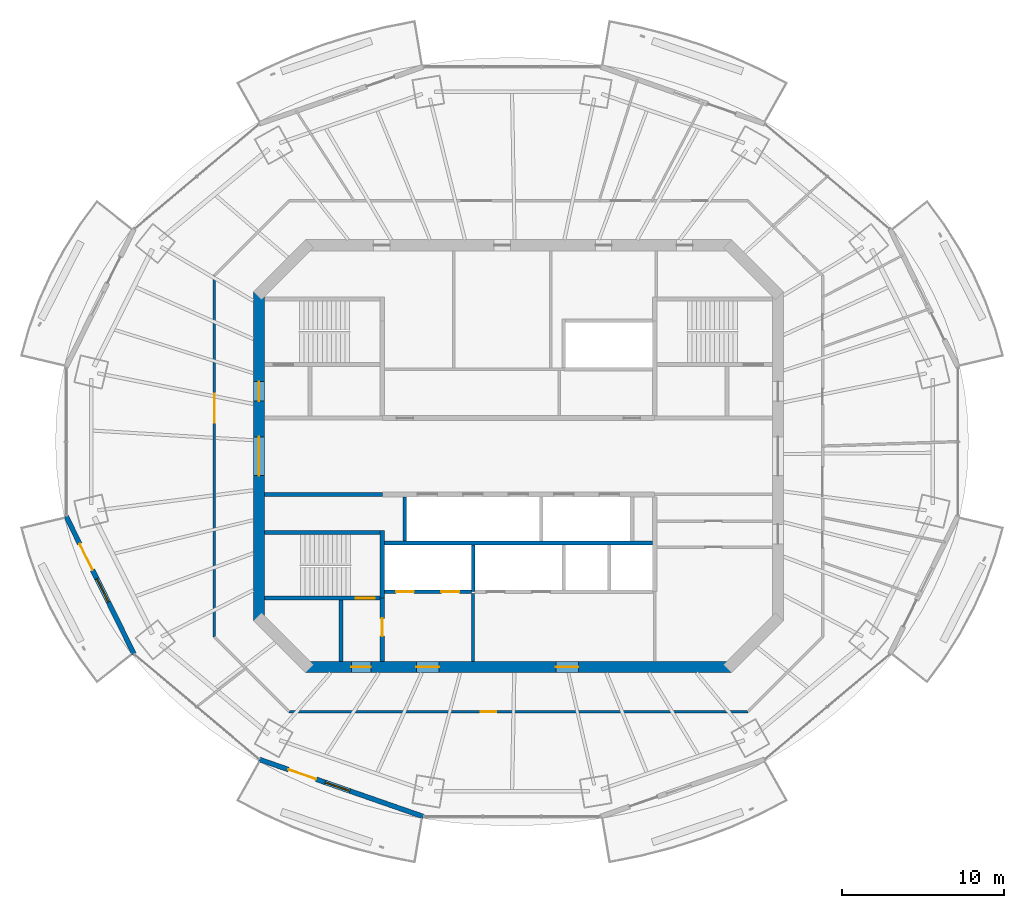
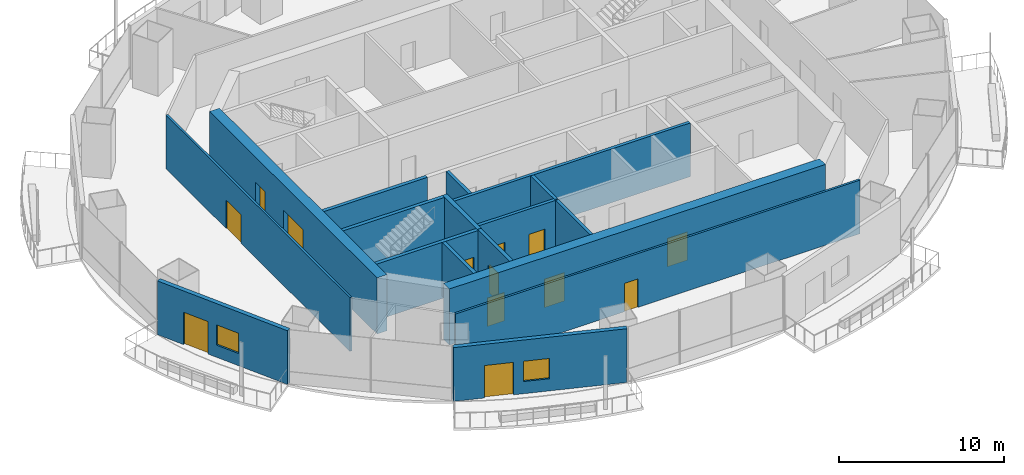
# One storey, part 8 of 16: 17 walls, 13 doors, 2 windows, 15 openings.
"""IFC4 building model written with IfcOpenShell, lengths in metres."""

from ifc_helpers import new_model, si_unit, direction, frame, frame_2d, origin, place, context, subcontext, project, spatial, rectangle, extrude, material, layer, layer_set, type_object, element, fill, save


model = new_model("IFC4")

# Units and contexts
model_context = context("Model", 3, precision=1e-05, world=origin(), true_north=direction((0.0, 1.0)))
body_context = subcontext(model_context, "Body", "Model", "MODEL_VIEW")
ifc_project = project(units=[si_unit("LENGTHUNIT", "METRE"), si_unit("AREAUNIT", "SQUARE_METRE"), si_unit("VOLUMEUNIT", "CUBIC_METRE"), si_unit("PLANEANGLEUNIT", "RADIAN"), si_unit("MASSUNIT", "GRAM", prefix="KILO")], contexts=[model_context])

# Site, building, storey
site_placement = place(None, origin())
site = spatial("IfcSite", under=ifc_project, at=site_placement, CompositionType="ELEMENT")
building_placement = place(site_placement, origin())
building = spatial("IfcBuilding", under=site, at=building_placement, Name="Marenthal Gate Tower", CompositionType="ELEMENT")
storey_placement = place(building_placement, frame((0.0, 0.0, 317.699951171875)))
storey = spatial("IfcBuildingStorey", under=building, at=storey_placement, Name="L71", CompositionType="ELEMENT", Elevation=317.699951171875)

# Wall, openings, doors
ifc_material_1 = material(Name="Concrete 60 MPa", Category="concrete")
ifc_layer_1 = layer(ifc_material_1, 0.699951171875)
ifc_layer_set_1 = layer_set([ifc_layer_1], Name="Core shear wall 700")
wall_type_1 = type_object("IfcWallType", Name="Core shear wall 700", PredefinedType="SHEAR", material=ifc_layer_set_1)
wall_1_placement = place(storey_placement, frame((-16.0, 10.14501953125, -0.179931640625), z_axis=(0.0, 0.0, 1.0), x_axis=(0.0, -1.0, 0.0)))
wall_1 = element("IfcWall", 1, at=wall_1_placement, inside=storey, type_object=wall_type_1, Name="Core wall 06", PredefinedType="SHEAR", context=body_context, shape_type="SweptSolid", body=[
    extrude(rectangle(XDim=20.2900390625, YDim=0.699951171875, at=frame_2d((10.14501953125, 0.0))), origin(), (0.0, 0.0, 1.0), 4.14990234375),
])
opening_1_placement = place(wall_1_placement, frame((8.945068359375, 0.0, 0.179931640625)))
opening_1 = element("IfcOpeningElement", 2, at=opening_1_placement, cuts=wall_1, Name="Opening D003.01", PredefinedType="OPENING", context=body_context, shape_type="SweptSolid", body=[
    extrude(rectangle(XDim=2.39990234375, YDim=2.10009765625, at=frame_2d((1.199951171875, 1.050048828125))), frame((0.0, 0.35986328125, 0.0), z_axis=(0.0, -1.0, 0.0), x_axis=(1.0, 0.0, 0.0)), (0.0, 0.0, 1.0), 0.719970703125),
])
opening_2_placement = place(wall_1_placement, frame((5.544921875, 0.0, 0.179931640625)))
opening_2 = element("IfcOpeningElement", 3, at=opening_2_placement, cuts=wall_1, Name="Opening D001.04", PredefinedType="OPENING", context=body_context, shape_type="SweptSolid", body=[
    extrude(rectangle(XDim=1.199951171875, YDim=2.10009765625, at=frame_2d((0.60009765625, 1.050048828125))), frame((0.0, 0.35986328125, 0.0), z_axis=(0.0, -1.0, 0.0), x_axis=(1.0, 0.0, 0.0)), (0.0, 0.0, 1.0), 0.719970703125),
])
ifc_material_2 = material(Name="Steel fire door", Category="steel")
door_type_1 = type_object("IfcDoorType", Name="Double fire door FD 45 2400 x 2100", OperationType="DOUBLE_DOOR_SINGLE_SWING", PredefinedType="DOOR", material=ifc_material_2)
door_1_placement = place(opening_1_placement, origin())
door_1 = element("IfcDoor", 4, at=door_1_placement, inside=storey, type_object=door_type_1, Name="Door D003.01", OperationType="DOUBLE_DOOR_SINGLE_SWING", OverallHeight=2.10009765625, OverallWidth=2.39990234375, PredefinedType="DOOR", context=body_context, shape_type="SweptSolid", body=[
    extrude(rectangle(XDim=2.39990234375, YDim=2.10009765625, at=frame_2d((1.199951171875, 1.050048828125))), frame((0.0, 0.02490234375, 0.0), z_axis=(0.0, -1.0, 0.0), x_axis=(1.0, 0.0, 0.0)), (0.0, 0.0, 1.0), 0.050048828125),
])
fill(opening_1, door_1)
ifc_material_3 = material(Name="Steel fire door", Category="steel")
door_type_2 = type_object("IfcDoorType", Name="Fire door FD 90 1200 x 2100", OperationType="NOTDEFINED", PredefinedType="DOOR", material=ifc_material_3)
door_2_placement = place(opening_2_placement, origin())
door_2 = element("IfcDoor", 5, at=door_2_placement, inside=storey, type_object=door_type_2, Name="Door D001.04", OperationType="SINGLE_SWING_RIGHT", OverallHeight=2.10009765625, OverallWidth=1.199951171875, PredefinedType="DOOR", context=body_context, shape_type="SweptSolid", body=[
    extrude(rectangle(XDim=1.199951171875, YDim=2.10009765625, at=frame_2d((0.60009765625, 1.050048828125))), frame((0.0, 0.02490234375, 0.0), z_axis=(0.0, -1.0, 0.0), x_axis=(1.0, 0.0, 0.0)), (0.0, 0.0, 1.0), 0.050048828125),
])
fill(opening_2, door_2)

wall_2_placement = place(storey_placement, frame((-13.14501953125, -13.0, -0.179931640625), z_axis=(0.0, 0.0, 1.0), x_axis=(1.0, 0.0, 0.0)))
wall_2 = element("IfcWall", 6, at=wall_2_placement, inside=storey, type_object=wall_type_1, Name="Core wall 08", PredefinedType="SHEAR", context=body_context, shape_type="SweptSolid", body=[
    extrude(rectangle(XDim=26.2900390625, YDim=0.699951171875, at=frame_2d((13.14501953125, 0.0))), origin(), (0.0, 0.0, 1.0), 4.14990234375),
])
opening_3_placement = place(wall_2_placement, frame((2.844970703125, 0.0, 0.179931640625)))
opening_3 = element("IfcOpeningElement", 7, at=opening_3_placement, cuts=wall_2, Name="Opening D001.06", PredefinedType="OPENING", context=body_context, shape_type="SweptSolid", body=[
    extrude(rectangle(XDim=1.199951171875, YDim=2.10009765625, at=frame_2d((0.60009765625, 1.050048828125))), frame((0.0, 0.35986328125, 0.0), z_axis=(0.0, -1.0, 0.0), x_axis=(1.0, 0.0, 0.0)), (0.0, 0.0, 1.0), 0.719970703125),
])
opening_4_placement = place(wall_2_placement, frame((6.844970703125, 0.0, 0.179931640625)))
opening_4 = element("IfcOpeningElement", 8, at=opening_4_placement, cuts=wall_2, Name="Opening D004.01", PredefinedType="OPENING", context=body_context, shape_type="SweptSolid", body=[
    extrude(rectangle(XDim=1.39990234375, YDim=2.10009765625, at=frame_2d((0.699951171875, 1.050048828125))), frame((0.0, 0.35986328125, 0.0), z_axis=(0.0, -1.0, 0.0), x_axis=(1.0, 0.0, 0.0)), (0.0, 0.0, 1.0), 0.719970703125),
])
opening_5_placement = place(wall_2_placement, frame((15.445068359375, 0.0, 0.179931640625)))
opening_5 = element("IfcOpeningElement", 9, at=opening_5_placement, cuts=wall_2, Name="Opening D004.02", PredefinedType="OPENING", context=body_context, shape_type="SweptSolid", body=[
    extrude(rectangle(XDim=1.39990234375, YDim=2.10009765625, at=frame_2d((0.699951171875, 1.050048828125))), frame((0.0, 0.35986328125, 0.0), z_axis=(0.0, -1.0, 0.0), x_axis=(1.0, 0.0, 0.0)), (0.0, 0.0, 1.0), 0.719970703125),
])
ifc_material_4 = material(Name="Steel fire door", Category="steel")
door_type_3 = type_object("IfcDoorType", Name="Fire door FD 45 1400 x 2100", OperationType="NOTDEFINED", PredefinedType="DOOR", material=ifc_material_4)
door_3_placement = place(opening_4_placement, origin())
door_3 = element("IfcDoor", 10, at=door_3_placement, inside=storey, type_object=door_type_3, Name="Door D004.01", OperationType="SINGLE_SWING_RIGHT", OverallHeight=2.10009765625, OverallWidth=1.39990234375, PredefinedType="DOOR", context=body_context, shape_type="SweptSolid", body=[
    extrude(rectangle(XDim=1.39990234375, YDim=2.10009765625, at=frame_2d((0.699951171875, 1.050048828125))), frame((0.0, 0.02490234375, 0.0), z_axis=(0.0, -1.0, 0.0), x_axis=(1.0, 0.0, 0.0)), (0.0, 0.0, 1.0), 0.050048828125),
])
fill(opening_4, door_3)
door_4_placement = place(opening_5_placement, origin())
door_4 = element("IfcDoor", 11, at=door_4_placement, inside=storey, type_object=door_type_3, Name="Door D004.02", OperationType="SINGLE_SWING_RIGHT", OverallHeight=2.10009765625, OverallWidth=1.39990234375, PredefinedType="DOOR", context=body_context, shape_type="SweptSolid", body=[
    extrude(rectangle(XDim=1.39990234375, YDim=2.10009765625, at=frame_2d((0.699951171875, 1.050048828125))), frame((0.0, 0.02490234375, 0.0), z_axis=(0.0, -1.0, 0.0), x_axis=(1.0, 0.0, 0.0)), (0.0, 0.0, 1.0), 0.050048828125),
])
fill(opening_5, door_4)
door_5_placement = place(opening_3_placement, origin())
door_5 = element("IfcDoor", 12, at=door_5_placement, inside=storey, type_object=door_type_2, Name="Door D001.06", OperationType="SINGLE_SWING_RIGHT", OverallHeight=2.10009765625, OverallWidth=1.199951171875, PredefinedType="DOOR", context=body_context, shape_type="SweptSolid", body=[
    extrude(rectangle(XDim=1.199951171875, YDim=2.10009765625, at=frame_2d((0.60009765625, 1.050048828125))), frame((0.0, 0.02490234375, 0.0), z_axis=(0.0, -1.0, 0.0), x_axis=(1.0, 0.0, 0.0)), (0.0, 0.0, 1.0), 0.050048828125),
])
fill(opening_3, door_5)

# Walls
ifc_material_5 = material(Name="Gypsum board on steel studs", Category="steel")
ifc_layer_2 = layer(ifc_material_5, 0.199951171875)
ifc_layer_set_2 = layer_set([ifc_layer_2], Name="Fire lobby wall 200")
wall_type_2 = type_object("IfcWallType", Name="Fire lobby wall 200", PredefinedType="PARTITIONING", material=ifc_layer_set_2)
wall_3_placement = place(storey_placement, frame((-2.800048828125, -12.64990234375, 0.0), z_axis=(0.0, 0.0, 1.0), x_axis=(0.0, 1.0, 0.0)))
element("IfcWall", 13, at=wall_3_placement, inside=storey, type_object=wall_type_2, Name="Fire wall 37", PredefinedType="PARTITIONING", context=body_context, shape_type="SweptSolid", body=[
    extrude(rectangle(XDim=4.18994140625, YDim=0.199951171875, at=frame_2d((2.094970703125, 0.0))), origin(), (0.0, 0.0, 1.0), 3.969970703125),
])
ifc_material_6 = material(Name="Concrete 50 MPa", Category="concrete")
ifc_layer_3 = layer(ifc_material_6, 0.300048828125)
ifc_layer_set_3 = layer_set([ifc_layer_3], Name="Hoistway shear wall 300")
wall_type_3 = type_object("IfcWallType", Name="Hoistway shear wall 300", PredefinedType="SHEAR", material=ifc_layer_set_3)
wall_4_placement = place(storey_placement, frame((-8.39990234375, -8.75, -0.179931640625), z_axis=(0.0, 0.0, 1.0), x_axis=(0.0, 1.0, 0.0)))
element("IfcWall", 14, at=wall_4_placement, inside=storey, type_object=wall_type_3, Name="Hoistway wall 32", PredefinedType="SHEAR", context=body_context, shape_type="SweptSolid", body=[
    extrude(rectangle(XDim=4.175048828125, YDim=0.300048828125, at=frame_2d((2.08740234375, 0.0))), origin(), (0.0, 0.0, 1.0), 4.14990234375),
])

# Wall, openings, doors
ifc_material_7 = material(Name="Concrete 40 MPa", Category="concrete")
ifc_layer_4 = layer(ifc_material_7, 0.219970703125)
ifc_layer_set_4 = layer_set([ifc_layer_4], Name="Hoistway wall 220")
wall_type_4 = type_object("IfcWallType", Name="Hoistway wall 220", PredefinedType="STANDARD", material=ifc_layer_set_4)
wall_5_placement = place(storey_placement, frame((-8.25, -8.35009765625, 0.0), z_axis=(0.0, 0.0, 1.0), x_axis=(1.0, 0.0, 0.0)))
wall_5 = element("IfcWall", 15, at=wall_5_placement, inside=storey, type_object=wall_type_4, Name="Hoistway wall 10", PredefinedType="STANDARD", context=body_context, shape_type="SweptSolid", body=[
    extrude(rectangle(XDim=5.340087890625, YDim=0.219970703125, at=frame_2d((2.669921875, 0.0))), origin(), (0.0, 0.0, 1.0), 3.969970703125),
])
opening_6_placement = place(wall_5_placement, frame((0.699951171875, 0.0, 0.0)))
opening_6 = element("IfcOpeningElement", 16, at=opening_6_placement, cuts=wall_5, Name="Opening LD-LF1", PredefinedType="OPENING", context=body_context, shape_type="SweptSolid", body=[
    extrude(rectangle(XDim=1.10009765625, YDim=2.10009765625, at=frame_2d((0.550048828125, 1.050048828125))), frame((0.0, 0.1201171875, 0.0), z_axis=(0.0, -1.0, 0.0), x_axis=(1.0, 0.0, 0.0)), (0.0, 0.0, 1.0), 0.239990234375),
])
opening_7_placement = place(wall_5_placement, frame((3.5, 0.0, 0.0)))
opening_7 = element("IfcOpeningElement", 17, at=opening_7_placement, cuts=wall_5, Name="Opening LD-LF2", PredefinedType="OPENING", context=body_context, shape_type="SweptSolid", body=[
    extrude(rectangle(XDim=1.10009765625, YDim=2.10009765625, at=frame_2d((0.550048828125, 1.050048828125))), frame((0.0, 0.1201171875, 0.0), z_axis=(0.0, -1.0, 0.0), x_axis=(1.0, 0.0, 0.0)), (0.0, 0.0, 1.0), 0.239990234375),
])
ifc_material_8 = material(Name="Stainless steel sliding door", Category="steel")
door_type_4 = type_object("IfcDoorType", Name="Lift landing door FD 90 1100 x 2100", OperationType="DOUBLE_DOOR_SLIDING", PredefinedType="DOOR", material=ifc_material_8)
door_6_placement = place(opening_6_placement, origin())
door_6 = element("IfcDoor", 18, at=door_6_placement, inside=storey, type_object=door_type_4, Name="Lift landing door LF1", OperationType="DOUBLE_DOOR_SLIDING", OverallHeight=2.10009765625, OverallWidth=1.10009765625, PredefinedType="DOOR", context=body_context, shape_type="SweptSolid", body=[
    extrude(rectangle(XDim=1.10009765625, YDim=2.10009765625, at=frame_2d((0.550048828125, 1.050048828125))), frame((0.0, 0.02490234375, 0.0), z_axis=(0.0, -1.0, 0.0), x_axis=(1.0, 0.0, 0.0)), (0.0, 0.0, 1.0), 0.050048828125),
])
fill(opening_6, door_6)
door_7_placement = place(opening_7_placement, origin())
door_7 = element("IfcDoor", 19, at=door_7_placement, inside=storey, type_object=door_type_4, Name="Lift landing door LF2", OperationType="DOUBLE_DOOR_SLIDING", OverallHeight=2.10009765625, OverallWidth=1.10009765625, PredefinedType="DOOR", context=body_context, shape_type="SweptSolid", body=[
    extrude(rectangle(XDim=1.10009765625, YDim=2.10009765625, at=frame_2d((0.550048828125, 1.050048828125))), frame((0.0, 0.02490234375, 0.0), z_axis=(0.0, -1.0, 0.0), x_axis=(1.0, 0.0, 0.0)), (0.0, 0.0, 1.0), 0.050048828125),
])
fill(opening_7, door_7)

# Walls
wall_6_placement = place(storey_placement, frame((-8.25, -5.35009765625, 0.0), z_axis=(0.0, 0.0, 1.0), x_axis=(1.0, 0.0, 0.0)))
element("IfcWall", 20, at=wall_6_placement, inside=storey, type_object=wall_type_4, Name="Hoistway wall 13", PredefinedType="STANDARD", context=body_context, shape_type="SweptSolid", body=[
    extrude(rectangle(XDim=16.5, YDim=0.219970703125, at=frame_2d((8.25, 0.0))), origin(), (0.0, 0.0, 1.0), 3.969970703125),
])
wall_7_placement = place(storey_placement, frame((-7.0, -5.239990234375, 0.0), z_axis=(0.0, 0.0, 1.0), x_axis=(0.0, 1.0, 0.0)))
element("IfcWall", 21, at=wall_7_placement, inside=storey, type_object=wall_type_4, Name="Hoistway wall 35", PredefinedType="STANDARD", context=body_context, shape_type="SweptSolid", body=[
    extrude(rectangle(XDim=2.739990234375, YDim=0.219970703125, at=frame_2d((1.3701171875, 0.0))), origin(), (0.0, 0.0, 1.0), 3.969970703125),
])
wall_8_placement = place(storey_placement, frame((-2.800048828125, -8.35009765625, 0.0), z_axis=(0.0, 0.0, 1.0), x_axis=(0.0, 1.0, 0.0)))
element("IfcWall", 22, at=wall_8_placement, inside=storey, type_object=wall_type_4, Name="Hoistway wall 38", PredefinedType="STANDARD", context=body_context, shape_type="SweptSolid", body=[
    extrude(rectangle(XDim=2.89013671875, YDim=0.219970703125, at=frame_2d((1.445068359375, 0.0))), origin(), (0.0, 0.0, 1.0), 3.969970703125),
])

# Wall, opening, door
ifc_material_9 = material(Name="Gypsum board on steel studs", Category="steel")
ifc_layer_5 = layer(ifc_material_9, 0.14990234375)
ifc_layer_set_5 = layer_set([ifc_layer_5], Name="Partition 150")
wall_type_5 = type_object("IfcWallType", Name="Partition 150", PredefinedType="PARTITIONING", material=ifc_layer_set_5)
wall_9_placement = place(storey_placement, frame((-18.75, -11.13916015625, 0.0), z_axis=(0.0, 0.0, 1.0), x_axis=(0.0, 1.0, 0.0)))
wall_9 = element("IfcWall", 23, at=wall_9_placement, inside=storey, type_object=wall_type_5, Name="Partition wall 52", PredefinedType="PARTITIONING", context=body_context, shape_type="SweptSolid", body=[
    extrude(rectangle(XDim=22.2783203125, YDim=0.14990234375, at=frame_2d((11.13916015625, 0.0))), origin(), (0.0, 0.0, 1.0), 3.969970703125),
])
opening_8_placement = place(wall_9_placement, frame((13.194091796875, 0.0, 0.0)))
opening_8 = element("IfcOpeningElement", 24, at=opening_8_placement, cuts=wall_9, Name="Opening D014.03", PredefinedType="OPENING", context=body_context, shape_type="SweptSolid", body=[
    extrude(rectangle(XDim=1.800048828125, YDim=2.10009765625, at=frame_2d((0.89990234375, 1.050048828125))), frame((0.0, 0.0849609375, 0.0), z_axis=(0.0, -1.0, 0.0), x_axis=(1.0, 0.0, 0.0)), (0.0, 0.0, 1.0), 0.169921875),
])
ifc_material_10 = material(Name="Timber door", Category="wood")
door_type_5 = type_object("IfcDoorType", Name="Double door 1800 x 2100", OperationType="DOUBLE_DOOR_SINGLE_SWING", PredefinedType="DOOR", material=ifc_material_10)
door_8_placement = place(opening_8_placement, origin())
door_8 = element("IfcDoor", 25, at=door_8_placement, inside=storey, type_object=door_type_5, Name="Door D014.03", OperationType="DOUBLE_DOOR_SINGLE_SWING", OverallHeight=2.10009765625, OverallWidth=1.800048828125, PredefinedType="DOOR", context=body_context, shape_type="SweptSolid", body=[
    extrude(rectangle(XDim=1.800048828125, YDim=2.10009765625, at=frame_2d((0.89990234375, 1.050048828125))), frame((0.0, 0.02490234375, 0.0), z_axis=(0.0, -1.0, 0.0), x_axis=(1.0, 0.0, 0.0)), (0.0, 0.0, 1.0), 0.050048828125),
])
fill(opening_8, door_8)

wall_10_placement = place(storey_placement, frame((14.13916015625, -15.75, 0.0), z_axis=(0.0, 0.0, 1.0), x_axis=(-1.0, 0.0, 0.0)))
wall_10 = element("IfcWall", 26, at=wall_10_placement, inside=storey, type_object=wall_type_5, Name="Partition wall 60", PredefinedType="PARTITIONING", context=body_context, shape_type="SweptSolid", body=[
    extrude(rectangle(XDim=28.2783203125, YDim=0.14990234375, at=frame_2d((14.13916015625, 0.0))), origin(), (0.0, 0.0, 1.0), 3.969970703125),
])
opening_9_placement = place(wall_10_placement, frame((15.51806640625, 0.0, 0.0)))
opening_9 = element("IfcOpeningElement", 27, at=opening_9_placement, cuts=wall_10, Name="Opening D016.05", PredefinedType="OPENING", context=body_context, shape_type="SweptSolid", body=[
    extrude(rectangle(XDim=0.949951171875, YDim=2.10009765625, at=frame_2d((0.47509765625, 1.050048828125))), frame((0.0, 0.0849609375, 0.0), z_axis=(0.0, -1.0, 0.0), x_axis=(1.0, 0.0, 0.0)), (0.0, 0.0, 1.0), 0.169921875),
])
ifc_material_11 = material(Name="Timber door", Category="wood")
door_type_6 = type_object("IfcDoorType", Name="Door 950 x 2100", OperationType="NOTDEFINED", PredefinedType="DOOR", material=ifc_material_11)
door_9_placement = place(opening_9_placement, origin())
door_9 = element("IfcDoor", 28, at=door_9_placement, inside=storey, type_object=door_type_6, Name="Door D016.05", OperationType="SINGLE_SWING_RIGHT", OverallHeight=2.10009765625, OverallWidth=0.949951171875, PredefinedType="DOOR", context=body_context, shape_type="SweptSolid", body=[
    extrude(rectangle(XDim=0.949951171875, YDim=2.10009765625, at=frame_2d((0.47509765625, 1.050048828125))), frame((0.0, 0.02490234375, 0.0), z_axis=(0.0, -1.0, 0.0), x_axis=(1.0, 0.0, 0.0)), (0.0, 0.0, 1.0), 0.050048828125),
])
fill(opening_9, door_9)

# Walls
ifc_material_12 = material(Name="Concrete 40 MPa", Category="concrete")
ifc_layer_6 = layer(ifc_material_12, 0.25)
ifc_layer_set_6 = layer_set([ifc_layer_6], Name="Stair enclosure wall 250")
wall_type_6 = type_object("IfcWallType", Name="Stair enclosure wall 250", PredefinedType="STANDARD", material=ifc_layer_set_6)
wall_11_placement = place(storey_placement, frame((-15.64990234375, -2.35009765625, 0.0), z_axis=(0.0, 0.0, 1.0), x_axis=(1.0, 0.0, 0.0)))
element("IfcWall", 29, at=wall_11_placement, inside=storey, type_object=wall_type_6, Name="Stair wall 16", PredefinedType="STANDARD", context=body_context, shape_type="SweptSolid", body=[
    extrude(rectangle(XDim=7.25, YDim=0.25, at=frame_2d((3.625, 0.0))), origin(), (0.0, 0.0, 1.0), 3.969970703125),
])
wall_12_placement = place(storey_placement, frame((-10.949951171875, -12.64990234375, 0.0), z_axis=(0.0, 0.0, 1.0), x_axis=(0.0, 1.0, 0.0)))
element("IfcWall", 30, at=wall_12_placement, inside=storey, type_object=wall_type_6, Name="Stair wall 30", PredefinedType="STANDARD", context=body_context, shape_type="SweptSolid", body=[
    extrude(rectangle(XDim=3.77490234375, YDim=0.25, at=frame_2d((1.887451171875, 0.0))), origin(), (0.0, 0.0, 1.0), 3.969970703125),
])

# Wall, opening, door
wall_13_placement = place(storey_placement, frame((-8.39990234375, -12.64990234375, 0.0), z_axis=(0.0, 0.0, 1.0), x_axis=(0.0, 1.0, 0.0)))
wall_13 = element("IfcWall", 31, at=wall_13_placement, inside=storey, type_object=wall_type_6, Name="Stair wall 31", PredefinedType="STANDARD", context=body_context, shape_type="SweptSolid", body=[
    extrude(rectangle(XDim=3.89990234375, YDim=0.25, at=frame_2d((1.949951171875, 0.0))), origin(), (0.0, 0.0, 1.0), 3.969970703125),
])
opening_10_placement = place(wall_13_placement, frame((1.550048828125, 0.0, 0.0)))
opening_10 = element("IfcOpeningElement", 32, at=opening_10_placement, cuts=wall_13, Name="Opening D002.01", PredefinedType="OPENING", context=body_context, shape_type="SweptSolid", body=[
    extrude(rectangle(XDim=1.10009765625, YDim=2.10009765625, at=frame_2d((0.550048828125, 1.050048828125))), frame((0.0, 0.135009765625, 0.0), z_axis=(0.0, -1.0, 0.0), x_axis=(1.0, 0.0, 0.0)), (0.0, 0.0, 1.0), 0.27001953125),
])
ifc_material_13 = material(Name="Steel fire door", Category="steel")
door_type_7 = type_object("IfcDoorType", Name="Fire door FD 90 1100 x 2100", OperationType="NOTDEFINED", PredefinedType="DOOR", material=ifc_material_13)
door_10_placement = place(opening_10_placement, origin())
door_10 = element("IfcDoor", 33, at=door_10_placement, inside=storey, type_object=door_type_7, Name="Door D002.01", OperationType="SINGLE_SWING_RIGHT", OverallHeight=2.10009765625, OverallWidth=1.10009765625, PredefinedType="DOOR", context=body_context, shape_type="SweptSolid", body=[
    extrude(rectangle(XDim=1.10009765625, YDim=2.10009765625, at=frame_2d((0.550048828125, 1.050048828125))), frame((0.0, 0.02490234375, 0.0), z_axis=(0.0, -1.0, 0.0), x_axis=(1.0, 0.0, 0.0)), (0.0, 0.0, 1.0), 0.050048828125),
])
fill(opening_10, door_10)

ifc_material_14 = material(Name="Concrete 50 MPa", Category="concrete")
ifc_layer_7 = layer(ifc_material_14, 0.25)
ifc_layer_set_7 = layer_set([ifc_layer_7], Name="Stair shear wall 250")
wall_type_7 = type_object("IfcWallType", Name="Stair shear wall 250", PredefinedType="SHEAR", material=ifc_layer_set_7)
wall_14_placement = place(storey_placement, frame((-15.64990234375, -8.75, -0.179931640625), z_axis=(0.0, 0.0, 1.0), x_axis=(1.0, 0.0, 0.0)))
wall_14 = element("IfcWall", 34, at=wall_14_placement, inside=storey, type_object=wall_type_7, Name="Stair wall 09", PredefinedType="SHEAR", context=body_context, shape_type="SweptSolid", body=[
    extrude(rectangle(XDim=7.099853515625, YDim=0.25, at=frame_2d((3.5498046875, 0.0))), origin(), (0.0, 0.0, 1.0), 4.14990234375),
])
opening_11_placement = place(wall_14_placement, frame((5.60009765625, 0.0, 0.179931640625)))
opening_11 = element("IfcOpeningElement", 35, at=opening_11_placement, cuts=wall_14, Name="Opening D001.03", PredefinedType="OPENING", context=body_context, shape_type="SweptSolid", body=[
    extrude(rectangle(XDim=1.199951171875, YDim=2.10009765625, at=frame_2d((0.60009765625, 1.050048828125))), frame((0.0, 0.135009765625, 0.0), z_axis=(0.0, -1.0, 0.0), x_axis=(1.0, 0.0, 0.0)), (0.0, 0.0, 1.0), 0.27001953125),
])
door_11_placement = place(opening_11_placement, origin())
door_11 = element("IfcDoor", 36, at=door_11_placement, inside=storey, type_object=door_type_2, Name="Door D001.03", OperationType="SINGLE_SWING_RIGHT", OverallHeight=2.10009765625, OverallWidth=1.199951171875, PredefinedType="DOOR", context=body_context, shape_type="SweptSolid", body=[
    extrude(rectangle(XDim=1.199951171875, YDim=2.10009765625, at=frame_2d((0.60009765625, 1.050048828125))), frame((0.0, 0.02490234375, 0.0), z_axis=(0.0, -1.0, 0.0), x_axis=(1.0, 0.0, 0.0)), (0.0, 0.0, 1.0), 0.050048828125),
])
fill(opening_11, door_11)

# Wall
wall_15_placement = place(storey_placement, frame((-15.64990234375, -4.699951171875, -0.179931640625), z_axis=(0.0, 0.0, 1.0), x_axis=(1.0, 0.0, 0.0)))
element("IfcWall", 37, at=wall_15_placement, inside=storey, type_object=wall_type_7, Name="Stair wall 14", PredefinedType="SHEAR", context=body_context, shape_type="SweptSolid", body=[
    extrude(rectangle(XDim=7.099853515625, YDim=0.25, at=frame_2d((3.5498046875, 0.0))), origin(), (0.0, 0.0, 1.0), 4.14990234375),
])

# Wall, openings, door, window
ifc_material_15 = material(Name="Terracotta cladding on insulated concrete-block backing", Category="masonry")
ifc_layer_8 = layer(ifc_material_15, 0.300048828125)
ifc_layer_set_8 = layer_set([ifc_layer_8], Name="Terracotta facade wall 300")
wall_type_8 = type_object("IfcWallType", Name="Terracotta facade wall 300", PredefinedType="SOLIDWALL", material=ifc_layer_set_8)
wall_16_placement = place(storey_placement, frame((-27.895263671875, -3.69873046875, 0.0), z_axis=(0.0, 0.0, 1.0), x_axis=(0.441906476931, -0.89706112704, 0.0)))
wall_16 = element("IfcWall", 38, at=wall_16_placement, inside=storey, type_object=wall_type_8, Name="Terracotta facade wall L71 bay 9", PredefinedType="SOLIDWALL", context=body_context, shape_type="SweptSolid", body=[
    extrude(rectangle(XDim=9.47216796875, YDim=0.300048828125, at=frame_2d((4.736083984375, 0.0))), origin(), (0.0, 0.0, 1.0), 3.969970703125),
])
opening_12_placement = place(wall_16_placement, frame((1.89990234375, 0.0, 0.0)))
opening_12 = element("IfcOpeningElement", 39, at=opening_12_placement, cuts=wall_16, Name="Opening BD-L71-09", PredefinedType="OPENING", context=body_context, shape_type="SweptSolid", body=[
    extrude(rectangle(XDim=1.800048828125, YDim=2.39990234375, at=frame_2d((0.89990234375, 1.199951171875))), frame((0.0, 0.16015625, 0.0), z_axis=(0.0, -1.0, 0.0), x_axis=(1.0, 0.0, 0.0)), (0.0, 0.0, 1.0), 0.320068359375),
])
opening_13_placement = place(wall_16_placement, frame((4.300048828125, 0.0, 0.89990234375)))
opening_13 = element("IfcOpeningElement", 40, at=opening_13_placement, cuts=wall_16, Name="Opening WN3-L71-09", PredefinedType="OPENING", context=body_context, shape_type="SweptSolid", body=[
    extrude(rectangle(XDim=1.60009765625, YDim=1.5, at=frame_2d((0.800048828125, 0.75))), frame((0.0, 0.16015625, 0.0), z_axis=(0.0, -1.0, 0.0), x_axis=(1.0, 0.0, 0.0)), (0.0, 0.0, 1.0), 0.320068359375),
])
ifc_material_16 = material(Name="Aluminium and glass", Category="aluminium")
door_type_8 = type_object("IfcDoorType", Name="Balcony door 1800x2400", OperationType="DOUBLE_DOOR_SINGLE_SWING", PredefinedType="DOOR", material=ifc_material_16)
door_12_placement = place(opening_12_placement, origin())
door_12 = element("IfcDoor", 41, at=door_12_placement, inside=storey, type_object=door_type_8, Name="Balcony door L71 bay 9", OperationType="SINGLE_SWING_LEFT", OverallHeight=2.39990234375, OverallWidth=1.800048828125, PredefinedType="DOOR", context=body_context, shape_type="SweptSolid", body=[
    extrude(rectangle(XDim=1.800048828125, YDim=2.39990234375, at=frame_2d((0.89990234375, 1.199951171875))), frame((0.0, 0.02490234375, 0.0), z_axis=(0.0, -1.0, 0.0), x_axis=(1.0, 0.0, 0.0)), (0.0, 0.0, 1.0), 0.050048828125),
])
fill(opening_12, door_12)
ifc_material_17 = material(Name="Aluminium and glass", Category="aluminium")
window_type = type_object("IfcWindowType", Name="Window 1600x1500", PartitioningType="DOUBLE_PANEL_VERTICAL", PredefinedType="WINDOW", material=ifc_material_17)
window_1_placement = place(opening_13_placement, origin())
window_1 = element("IfcWindow", 42, at=window_1_placement, inside=storey, type_object=window_type, Name="Window L71 bay 9", OverallHeight=1.5, OverallWidth=1.60009765625, PartitioningType="SINGLE_PANEL", PredefinedType="WINDOW", context=body_context, shape_type="SweptSolid", body=[
    extrude(rectangle(XDim=1.60009765625, YDim=1.5, at=frame_2d((0.800048828125, 0.75))), frame((0.0, 0.030029296875, 0.0), z_axis=(0.0, -1.0, 0.0), x_axis=(1.0, 0.0, 0.0)), (0.0, 0.0, 1.0), 0.06005859375),
])
fill(opening_13, window_1)

wall_17_placement = place(storey_placement, frame((-15.974853515625, -18.699462890625, 0.0), z_axis=(0.0, 0.0, 1.0), x_axis=(0.94436622093, -0.328895790132, 0.0)))
wall_17 = element("IfcWall", 43, at=wall_17_placement, inside=storey, type_object=wall_type_8, Name="Terracotta facade wall L71 bay 11", PredefinedType="SOLIDWALL", context=body_context, shape_type="SweptSolid", body=[
    extrude(rectangle(XDim=10.701171875, YDim=0.300048828125, at=frame_2d((5.3505859375, 0.0))), origin(), (0.0, 0.0, 1.0), 3.969970703125),
])
opening_14_placement = place(wall_17_placement, frame((1.89990234375, 0.0, 0.0)))
opening_14 = element("IfcOpeningElement", 44, at=opening_14_placement, cuts=wall_17, Name="Opening BD-L71-11", PredefinedType="OPENING", context=body_context, shape_type="SweptSolid", body=[
    extrude(rectangle(XDim=1.800048828125, YDim=2.39990234375, at=frame_2d((0.89990234375, 1.199951171875))), frame((0.0, 0.16015625, 0.0), z_axis=(0.0, -1.0, 0.0), x_axis=(1.0, 0.0, 0.0)), (0.0, 0.0, 1.0), 0.320068359375),
])
opening_15_placement = place(wall_17_placement, frame((4.300048828125, 0.0, 0.89990234375)))
opening_15 = element("IfcOpeningElement", 45, at=opening_15_placement, cuts=wall_17, Name="Opening WN3-L71-11", PredefinedType="OPENING", context=body_context, shape_type="SweptSolid", body=[
    extrude(rectangle(XDim=1.60009765625, YDim=1.5, at=frame_2d((0.800048828125, 0.75))), frame((0.0, 0.16015625, 0.0), z_axis=(0.0, -1.0, 0.0), x_axis=(1.0, 0.0, 0.0)), (0.0, 0.0, 1.0), 0.320068359375),
])
door_13_placement = place(opening_14_placement, origin())
door_13 = element("IfcDoor", 46, at=door_13_placement, inside=storey, type_object=door_type_8, Name="Balcony door L71 bay 11", OperationType="SINGLE_SWING_LEFT", OverallHeight=2.39990234375, OverallWidth=1.800048828125, PredefinedType="DOOR", context=body_context, shape_type="SweptSolid", body=[
    extrude(rectangle(XDim=1.800048828125, YDim=2.39990234375, at=frame_2d((0.89990234375, 1.199951171875))), frame((0.0, 0.02490234375, 0.0), z_axis=(0.0, -1.0, 0.0), x_axis=(1.0, 0.0, 0.0)), (0.0, 0.0, 1.0), 0.050048828125),
])
fill(opening_14, door_13)
window_2_placement = place(opening_15_placement, origin())
window_2 = element("IfcWindow", 47, at=window_2_placement, inside=storey, type_object=window_type, Name="Window L71 bay 11", OverallHeight=1.5, OverallWidth=1.60009765625, PartitioningType="SINGLE_PANEL", PredefinedType="WINDOW", context=body_context, shape_type="SweptSolid", body=[
    extrude(rectangle(XDim=1.60009765625, YDim=1.5, at=frame_2d((0.800048828125, 0.75))), frame((0.0, 0.030029296875, 0.0), z_axis=(0.0, -1.0, 0.0), x_axis=(1.0, 0.0, 0.0)), (0.0, 0.0, 1.0), 0.06005859375),
])
fill(opening_15, window_2)

save(model, "model.ifc")
